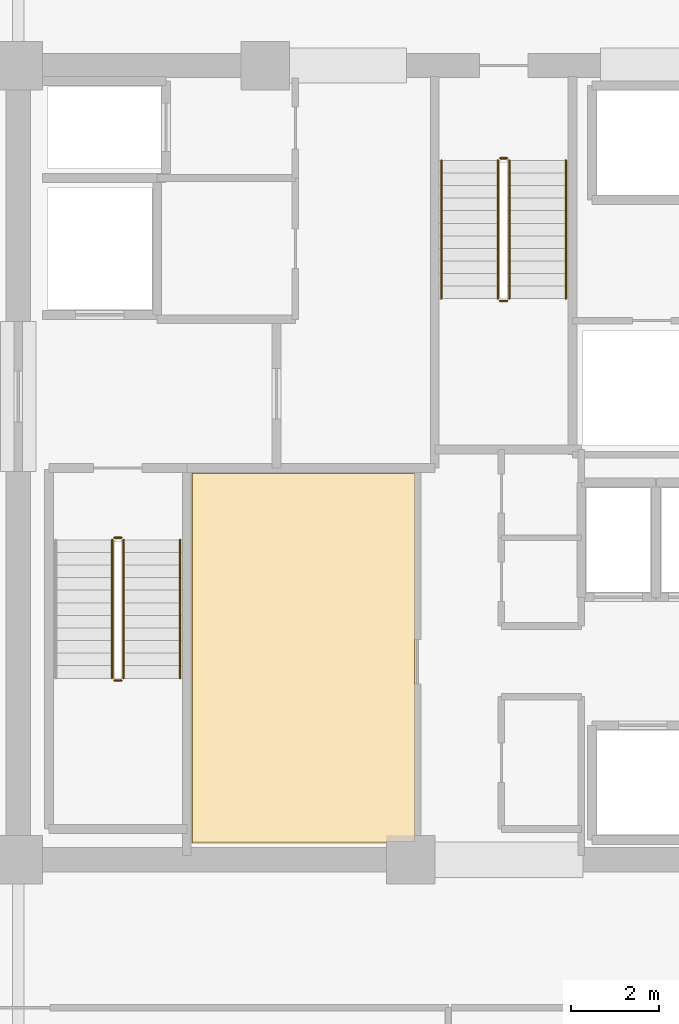
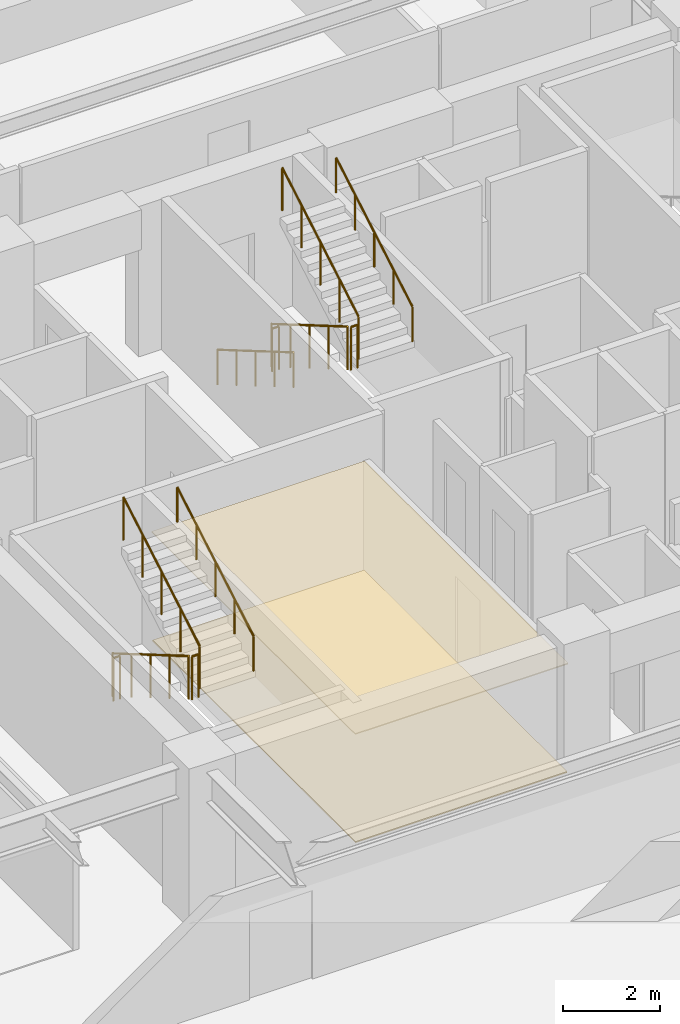
# One storey, part 18 of 21: 11 railings, 2 coverings.
"""IFC4 building model written with IfcOpenShell, lengths in metres."""

from ifc_helpers import new_model, si_unit, direction, frame, origin, origin_2d, place, context, subcontext, project, spatial, polyline, circle, outline, extrude, material, layer, layer_set, type_object, element, save


model = new_model("IFC4")

# Units and contexts
model_context = context("Model", 3, precision=1e-05, world=origin(), true_north=direction((0.0, 1.0)))
body_context = subcontext(model_context, "Body", "Model", "MODEL_VIEW")
ifc_project = project(units=[si_unit("LENGTHUNIT", "METRE"), si_unit("AREAUNIT", "SQUARE_METRE"), si_unit("VOLUMEUNIT", "CUBIC_METRE"), si_unit("PLANEANGLEUNIT", "RADIAN"), si_unit("MASSUNIT", "GRAM", prefix="KILO")], contexts=[model_context])

# Site, building, storey
site_placement = place(None, origin())
site = spatial("IfcSite", under=ifc_project, at=site_placement, CompositionType="ELEMENT")
building_placement = place(site_placement, origin())
building = spatial("IfcBuilding", under=site, at=building_placement, Name="Kovane Verandah Tower", CompositionType="ELEMENT")
storey_placement = place(building_placement, frame((0.0, 0.0, 176.39990234375)))
storey = spatial("IfcBuildingStorey", under=building, at=storey_placement, Name="L41", CompositionType="ELEMENT", Elevation=176.39990234375)

# Coverings
ifc_material_1 = material(Name="Perforated Acoustic Mineral-Fibre Ceiling Tile", Category="gypsum")
ifc_layer_1 = layer(ifc_material_1, 0.02490234375)
ifc_layer_set_1 = layer_set([ifc_layer_1], Name="Perforated Acoustic Mineral-Fibre Ceiling Tile")
covering_type_1 = type_object("IfcCoveringType", Name="CV-CEIL-25", PredefinedType="CEILING", material=ifc_layer_set_1)
covering_1_placement = place(storey_placement, frame((0.0, 0.0, 2.72998046875)))
element("IfcCovering", 1, at=covering_1_placement, inside=storey, type_object=covering_type_1, Name="L41 Tenant Wellness and Archive Suite Acoustic Ceiling", PredefinedType="CEILING", context=body_context, shape_type="SweptSolid", body=[
    extrude(outline(polyline([(32.93505859375, 18.885009765625), (37.9951171875, 18.885009765625), (37.9951171875, 27.264892578125), (32.93505859375, 27.264892578125), (32.93505859375, 18.885009765625)])), origin(), (0.0, 0.0, 1.0), 0.025146484375),
])
ifc_material_2 = material(Name="Polished Terrazzo and Raised-Access Carpet Tile Finish", Category="concrete")
ifc_layer_2 = layer(ifc_material_2, 0.030029296875)
ifc_layer_set_2 = layer_set([ifc_layer_2], Name="Polished Terrazzo and Raised-Access Carpet Tile Finish")
covering_type_2 = type_object("IfcCoveringType", Name="CV-FLOR-30", PredefinedType="FLOORING", material=ifc_layer_set_2)
covering_2_placement = place(storey_placement, origin())
element("IfcCovering", 2, at=covering_2_placement, inside=storey, type_object=covering_type_2, Name="L41 Tenant Wellness and Archive Suite Floor Finish", PredefinedType="FLOORING", context=body_context, shape_type="SweptSolid", body=[
    extrude(outline(polyline([(32.949951171875, 18.89990234375), (37.97998046875, 18.89990234375), (37.97998046875, 27.25), (32.949951171875, 27.25), (32.949951171875, 18.89990234375)])), origin(), (0.0, 0.0, 1.0), 0.030029296875),
])

# Railings
ifc_material_3 = material(Name="Brushed Stainless Steel Handrail", Category="steel")
railing_type_1 = type_object("IfcRailingType", Name="RL-HAND-920", PredefinedType="HANDRAIL", material=ifc_material_3)
railing_1_placement = place(storey_placement, frame((32.669921875, 22.614990234375, 2.166748046875)))
element("IfcRailing", 3, at=railing_1_placement, inside=storey, type_object=railing_type_1, Name="L41 ST-01 stair handrail 2", PredefinedType="HANDRAIL", context=body_context, shape_type="SweptSolid", body=[
    extrude(circle(Radius=0.02392578125, at=origin_2d()), frame((0.0, 0.0, 0.8759765625), z_axis=(0.0, 0.863239559939, 0.504794475164), x_axis=(-1.0, 0.0, 0.0)), (0.0, 0.0, 1.0), 3.631591796875),
    extrude(circle(Radius=0.02099609375, at=origin_2d()), origin(), (0.0, 0.0, 1.0), 0.851806640625),
    extrude(circle(Radius=0.02099609375, at=origin_2d()), frame((0.0, 0.78369140625, 0.458251953125)), (0.0, 0.0, 1.0), 0.851806640625),
    extrude(circle(Radius=0.02099609375, at=origin_2d()), frame((0.0, 1.5673828125, 0.91650390625)), (0.0, 0.0, 1.0), 0.851806640625),
    extrude(circle(Radius=0.02099609375, at=origin_2d()), frame((0.0, 2.351318359375, 1.375)), (0.0, 0.0, 1.0), 0.851806640625),
    extrude(circle(Radius=0.02099609375, at=origin_2d()), frame((0.0, 3.135009765625, 1.833251953125)), (0.0, 0.0, 1.0), 0.851806640625),
])
railing_2_placement = place(storey_placement, frame((38.590087890625, 34.35009765625, 0.166748046875)))
element("IfcRailing", 4, at=railing_2_placement, inside=storey, type_object=railing_type_1, Name="L41 ST-03 stair handrail 1", PredefinedType="HANDRAIL", context=body_context, shape_type="SweptSolid", body=[
    extrude(circle(Radius=0.02392578125, at=origin_2d()), frame((0.0, 0.0, 0.8759765625), z_axis=(0.0, -0.863239559939, 0.504794475164), x_axis=(1.0, 0.0, 0.0)), (0.0, 0.0, 1.0), 3.631591796875),
    extrude(circle(Radius=0.02099609375, at=origin_2d()), origin(), (0.0, 0.0, 1.0), 0.851806640625),
    extrude(circle(Radius=0.02099609375, at=origin_2d()), frame((0.0, -0.78369140625, 0.458251953125)), (0.0, 0.0, 1.0), 0.851806640625),
    extrude(circle(Radius=0.02099609375, at=origin_2d()), frame((0.0, -1.5673828125, 0.91650390625)), (0.0, 0.0, 1.0), 0.851806640625),
    extrude(circle(Radius=0.02099609375, at=origin_2d()), frame((0.0, -2.351318359375, 1.375)), (0.0, 0.0, 1.0), 0.851806640625),
    extrude(circle(Radius=0.02099609375, at=origin_2d()), frame((0.0, -3.135009765625, 1.833251953125)), (0.0, 0.0, 1.0), 0.851806640625),
])
railing_3_placement = place(storey_placement, frame((41.409912109375, 31.215087890625, 2.166748046875)))
element("IfcRailing", 5, at=railing_3_placement, inside=storey, type_object=railing_type_1, Name="L41 ST-03 stair handrail 2", PredefinedType="HANDRAIL", context=body_context, shape_type="SweptSolid", body=[
    extrude(circle(Radius=0.02392578125, at=origin_2d()), frame((0.0, 0.0, 0.8759765625), z_axis=(0.0, 0.863239559939, 0.504794475164), x_axis=(-1.0, 0.0, 0.0)), (0.0, 0.0, 1.0), 3.631591796875),
    extrude(circle(Radius=0.02099609375, at=origin_2d()), origin(), (0.0, 0.0, 1.0), 0.851806640625),
    extrude(circle(Radius=0.02099609375, at=origin_2d()), frame((0.0, 0.78369140625, 0.458251953125)), (0.0, 0.0, 1.0), 0.851806640625),
    extrude(circle(Radius=0.02099609375, at=origin_2d()), frame((0.0, 1.5673828125, 0.91650390625)), (0.0, 0.0, 1.0), 0.851806640625),
    extrude(circle(Radius=0.02099609375, at=origin_2d()), frame((0.0, 2.351318359375, 1.375)), (0.0, 0.0, 1.0), 0.851806640625),
    extrude(circle(Radius=0.02099609375, at=origin_2d()), frame((0.0, 3.135009765625, 1.833251953125)), (0.0, 0.0, 1.0), 0.851806640625),
])
ifc_material_4 = material(Name="Painted Steel Stairwell Guardrail", Category="steel")
railing_type_2 = type_object("IfcRailingType", Name="RL-STGUARD-1120", PredefinedType="GUARDRAIL", material=ifc_material_4)
railing_4_placement = place(storey_placement, frame((31.1298828125, 25.75, 0.166748046875)))
element("IfcRailing", 6, at=railing_4_placement, inside=storey, type_object=railing_type_2, Name="L41 ST-01 stair guard 1", PredefinedType="GUARDRAIL", context=body_context, shape_type="SweptSolid", body=[
    extrude(circle(Radius=0.02392578125, at=origin_2d()), frame((0.0, 0.0, 1.076171875), z_axis=(0.0, -0.863239559939, 0.504794475164), x_axis=(1.0, 0.0, 0.0)), (0.0, 0.0, 1.0), 3.631591796875),
    extrude(circle(Radius=0.02099609375, at=origin_2d()), origin(), (0.0, 0.0, 1.0), 1.052001953125),
    extrude(circle(Radius=0.02099609375, at=origin_2d()), frame((0.0, -0.78369140625, 0.458251953125)), (0.0, 0.0, 1.0), 1.052001953125),
    extrude(circle(Radius=0.02099609375, at=origin_2d()), frame((0.0, -1.5673828125, 0.91650390625)), (0.0, 0.0, 1.0), 1.052001953125),
    extrude(circle(Radius=0.02099609375, at=origin_2d()), frame((0.0, -2.351318359375, 1.375)), (0.0, 0.0, 1.0), 1.052001953125),
    extrude(circle(Radius=0.02099609375, at=origin_2d()), frame((0.0, -3.135009765625, 1.833251953125)), (0.0, 0.0, 1.0), 1.052001953125),
])
railing_5_placement = place(storey_placement, frame((31.179931640625, 22.56494140625, 2.0)))
element("IfcRailing", 7, at=railing_5_placement, inside=storey, type_object=railing_type_2, Name="L41 ST-01 stair guard 2", PredefinedType="GUARDRAIL", context=body_context, shape_type="SweptSolid", body=[
    extrude(circle(Radius=0.02392578125, at=origin_2d()), frame((0.0, 0.0, 1.076171875), z_axis=(1.0, 0.0, 0.0), x_axis=(0.0, 1.0, 0.0)), (0.0, 0.0, 1.0), 0.16015625),
    extrude(circle(Radius=0.02099609375, at=origin_2d()), origin(), (0.0, 0.0, 1.0), 1.052001953125),
    extrude(circle(Radius=0.02099609375, at=origin_2d()), frame((0.16015625, 0.0, 0.0)), (0.0, 0.0, 1.0), 1.052001953125),
])
railing_6_placement = place(storey_placement, frame((31.389892578125, 22.614990234375, 2.166748046875)))
element("IfcRailing", 8, at=railing_6_placement, inside=storey, type_object=railing_type_2, Name="L41 ST-01 stair guard 3", PredefinedType="GUARDRAIL", context=body_context, shape_type="SweptSolid", body=[
    extrude(circle(Radius=0.02392578125, at=origin_2d()), frame((0.0, 0.0, 1.076171875), z_axis=(0.0, 0.863239559939, 0.504794475164), x_axis=(-1.0, 0.0, 0.0)), (0.0, 0.0, 1.0), 3.631591796875),
    extrude(circle(Radius=0.02099609375, at=origin_2d()), origin(), (0.0, 0.0, 1.0), 1.052001953125),
    extrude(circle(Radius=0.02099609375, at=origin_2d()), frame((0.0, 0.78369140625, 0.458251953125)), (0.0, 0.0, 1.0), 1.052001953125),
    extrude(circle(Radius=0.02099609375, at=origin_2d()), frame((0.0, 1.5673828125, 0.91650390625)), (0.0, 0.0, 1.0), 1.052001953125),
    extrude(circle(Radius=0.02099609375, at=origin_2d()), frame((0.0, 2.351318359375, 1.375)), (0.0, 0.0, 1.0), 1.052001953125),
    extrude(circle(Radius=0.02099609375, at=origin_2d()), frame((0.0, 3.135009765625, 1.833251953125)), (0.0, 0.0, 1.0), 1.052001953125),
])
railing_7_placement = place(storey_placement, frame((31.179931640625, 25.800048828125, 0.0)))
element("IfcRailing", 9, at=railing_7_placement, inside=storey, type_object=railing_type_2, Name="L41 ST-01 stair guard 4", PredefinedType="GUARDRAIL", context=body_context, shape_type="SweptSolid", body=[
    extrude(circle(Radius=0.02392578125, at=origin_2d()), frame((0.0, 0.0, 1.076171875), z_axis=(1.0, 0.0, 0.0), x_axis=(0.0, 1.0, 0.0)), (0.0, 0.0, 1.0), 0.16015625),
    extrude(circle(Radius=0.02099609375, at=origin_2d()), origin(), (0.0, 0.0, 1.0), 1.052001953125),
    extrude(circle(Radius=0.02099609375, at=origin_2d()), frame((0.16015625, 0.0, 0.0)), (0.0, 0.0, 1.0), 1.052001953125),
])
railing_8_placement = place(storey_placement, frame((39.8701171875, 34.35009765625, 0.166748046875)))
element("IfcRailing", 10, at=railing_8_placement, inside=storey, type_object=railing_type_2, Name="L41 ST-03 stair guard 1", PredefinedType="GUARDRAIL", context=body_context, shape_type="SweptSolid", body=[
    extrude(circle(Radius=0.02392578125, at=origin_2d()), frame((0.0, 0.0, 1.076171875), z_axis=(0.0, -0.863239559939, 0.504794475164), x_axis=(1.0, 0.0, 0.0)), (0.0, 0.0, 1.0), 3.631591796875),
    extrude(circle(Radius=0.02099609375, at=origin_2d()), origin(), (0.0, 0.0, 1.0), 1.052001953125),
    extrude(circle(Radius=0.02099609375, at=origin_2d()), frame((0.0, -0.78369140625, 0.458251953125)), (0.0, 0.0, 1.0), 1.052001953125),
    extrude(circle(Radius=0.02099609375, at=origin_2d()), frame((0.0, -1.5673828125, 0.91650390625)), (0.0, 0.0, 1.0), 1.052001953125),
    extrude(circle(Radius=0.02099609375, at=origin_2d()), frame((0.0, -2.351318359375, 1.375)), (0.0, 0.0, 1.0), 1.052001953125),
    extrude(circle(Radius=0.02099609375, at=origin_2d()), frame((0.0, -3.135009765625, 1.833251953125)), (0.0, 0.0, 1.0), 1.052001953125),
])
railing_9_placement = place(storey_placement, frame((39.919921875, 31.1650390625, 2.0)))
element("IfcRailing", 11, at=railing_9_placement, inside=storey, type_object=railing_type_2, Name="L41 ST-03 stair guard 2", PredefinedType="GUARDRAIL", context=body_context, shape_type="SweptSolid", body=[
    extrude(circle(Radius=0.02392578125, at=origin_2d()), frame((0.0, 0.0, 1.076171875), z_axis=(1.0, 0.0, 0.0), x_axis=(0.0, 1.0, 0.0)), (0.0, 0.0, 1.0), 0.16015625),
    extrude(circle(Radius=0.02099609375, at=origin_2d()), origin(), (0.0, 0.0, 1.0), 1.052001953125),
    extrude(circle(Radius=0.02099609375, at=origin_2d()), frame((0.16015625, 0.0, 0.0)), (0.0, 0.0, 1.0), 1.052001953125),
])
railing_10_placement = place(storey_placement, frame((40.1298828125, 31.215087890625, 2.166748046875)))
element("IfcRailing", 12, at=railing_10_placement, inside=storey, type_object=railing_type_2, Name="L41 ST-03 stair guard 3", PredefinedType="GUARDRAIL", context=body_context, shape_type="SweptSolid", body=[
    extrude(circle(Radius=0.02392578125, at=origin_2d()), frame((0.0, 0.0, 1.076171875), z_axis=(0.0, 0.863239559939, 0.504794475164), x_axis=(-1.0, 0.0, 0.0)), (0.0, 0.0, 1.0), 3.631591796875),
    extrude(circle(Radius=0.02099609375, at=origin_2d()), origin(), (0.0, 0.0, 1.0), 1.052001953125),
    extrude(circle(Radius=0.02099609375, at=origin_2d()), frame((0.0, 0.78369140625, 0.458251953125)), (0.0, 0.0, 1.0), 1.052001953125),
    extrude(circle(Radius=0.02099609375, at=origin_2d()), frame((0.0, 1.5673828125, 0.91650390625)), (0.0, 0.0, 1.0), 1.052001953125),
    extrude(circle(Radius=0.02099609375, at=origin_2d()), frame((0.0, 2.351318359375, 1.375)), (0.0, 0.0, 1.0), 1.052001953125),
    extrude(circle(Radius=0.02099609375, at=origin_2d()), frame((0.0, 3.135009765625, 1.833251953125)), (0.0, 0.0, 1.0), 1.052001953125),
])
railing_11_placement = place(storey_placement, frame((39.919921875, 34.39990234375, 0.0)))
element("IfcRailing", 13, at=railing_11_placement, inside=storey, type_object=railing_type_2, Name="L41 ST-03 stair guard 4", PredefinedType="GUARDRAIL", context=body_context, shape_type="SweptSolid", body=[
    extrude(circle(Radius=0.02392578125, at=origin_2d()), frame((0.0, 0.0, 1.076171875), z_axis=(1.0, 0.0, 0.0), x_axis=(0.0, 1.0, 0.0)), (0.0, 0.0, 1.0), 0.16015625),
    extrude(circle(Radius=0.02099609375, at=origin_2d()), origin(), (0.0, 0.0, 1.0), 1.052001953125),
    extrude(circle(Radius=0.02099609375, at=origin_2d()), frame((0.16015625, 0.0, 0.0)), (0.0, 0.0, 1.0), 1.052001953125),
])

save(model, "model.ifc")
